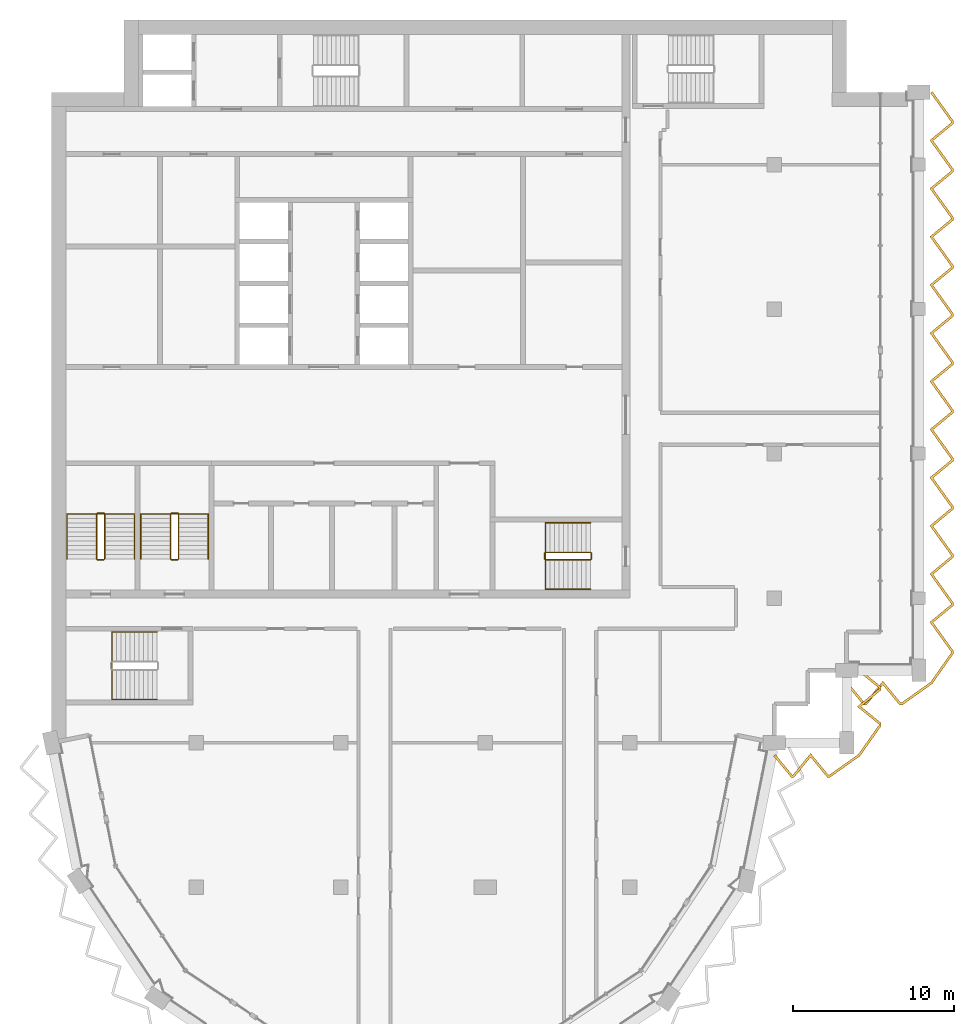
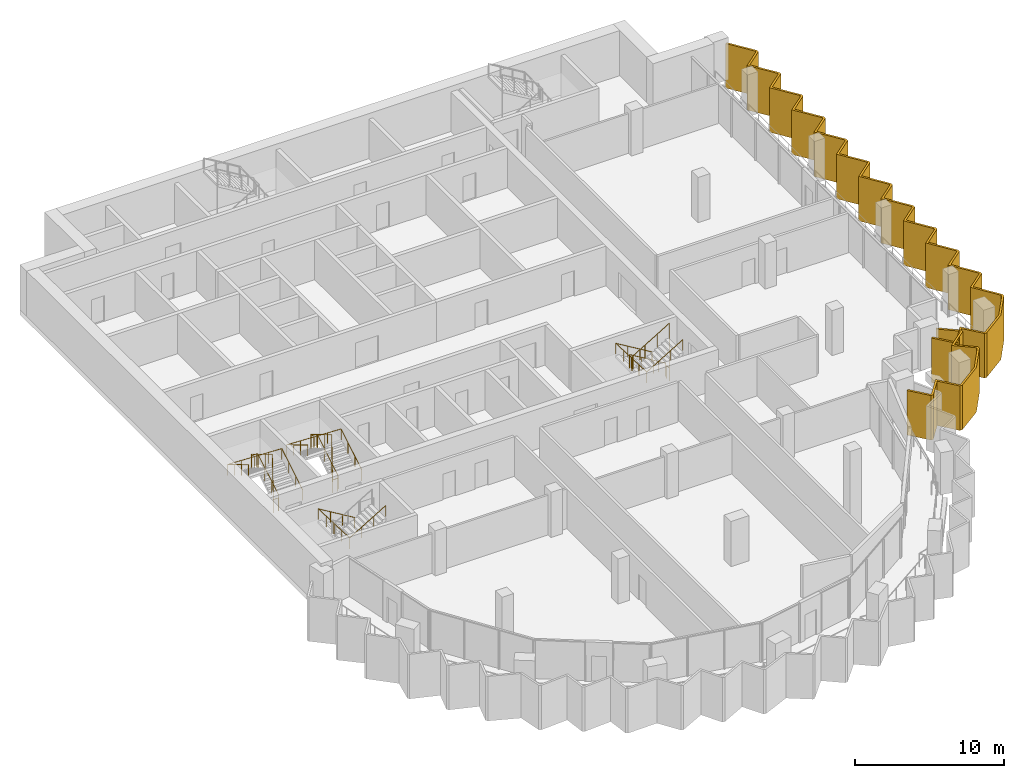
# One storey, part 12 of 13: 7 railings, 2 shading devices.
"""IFC4 building model written with IfcOpenShell, lengths in metres."""

from ifc_helpers import new_model, si_unit, direction, frame, origin, origin_2d, place, context, subcontext, project, spatial, polyline, circle, outline, extrude, material, layer, layer_set, type_object, element, save


model = new_model("IFC4")

# Units and contexts
model_context = context("Model", 3, precision=1e-05, world=origin(), true_north=direction((0.0, 1.0)))
body_context = subcontext(model_context, "Body", "Model", "MODEL_VIEW")
ifc_project = project(units=[si_unit("LENGTHUNIT", "METRE"), si_unit("AREAUNIT", "SQUARE_METRE"), si_unit("VOLUMEUNIT", "CUBIC_METRE"), si_unit("PLANEANGLEUNIT", "RADIAN"), si_unit("MASSUNIT", "GRAM", prefix="KILO")], contexts=[model_context])

# Site, building, storey
site_placement = place(None, origin())
site = spatial("IfcSite", under=ifc_project, at=site_placement, CompositionType="ELEMENT")
building_placement = place(site_placement, origin())
building = spatial("IfcBuilding", under=site, at=building_placement, Name="Hunhe Ridgeline Campus", CompositionType="ELEMENT")
storey_placement = place(building_placement, frame((0.0, 0.0, 299.300048828125)))
storey = spatial("IfcBuildingStorey", under=building, at=storey_placement, Name="L77", CompositionType="ELEMENT", Elevation=299.300048828125)

# Shading devices
ifc_material_1 = material(Name="Concrete C50", Category="concrete")
ifc_layer = layer(ifc_material_1, 0.14990234375)
ifc_layer_set = layer_set([ifc_layer], Name="Sawtooth concrete fin 150 Concrete C50")
shading_device_type = type_object("IfcShadingDeviceType", Name="Sawtooth concrete fin 150 Concrete C50", PredefinedType="USERDEFINED", material=ifc_layer_set)
shading_device_1_placement = place(storey_placement, frame((0.0, 0.0, -0.949951171875)))
element("IfcShadingDevice", 1, at=shading_device_1_placement, inside=storey, type_object=shading_device_type, Name="Concrete fin screen 2", ObjectType="FIN", PredefinedType="USERDEFINED", context=body_context, shape_type="SweptSolid", body=[
    extrude(outline(polyline([(45.057861328125, 53.272705078125), (44.942138671875, 53.17724609375), (46.037353515625, 51.85009765625), (46.228271484375, 51.85009765625), (47.25048828125, 53.106689453125), (48.287353515625, 51.85009765625), (48.466552734375, 51.85009765625), (50.328857421875, 53.17138671875), (51.64990234375, 55.048828125), (51.64990234375, 55.228271484375), (50.393310546875, 56.25048828125), (51.64990234375, 57.287353515625), (51.64990234375, 57.478271484375), (50.322265625, 58.55810546875), (50.227783203125, 58.44189453125), (51.5, 57.406982421875), (51.5, 57.35791015625), (50.15673828125, 56.24951171875), (51.5, 55.156982421875), (51.5, 55.096435546875), (50.22119140625, 53.27880859375), (48.418701171875, 52.0), (48.35791015625, 52.0), (47.24951171875, 53.34326171875), (46.156982421875, 52.0), (46.10791015625, 52.0), (45.057861328125, 53.272705078125)])), origin(), (0.0, 0.0, 1.0), 3.64990234375),
])
shading_device_2_placement = place(storey_placement, frame((0.0, 0.0, -0.949951171875)))
element("IfcShadingDevice", 2, at=shading_device_2_placement, inside=storey, type_object=shading_device_type, Name="Concrete fin screen 3", ObjectType="FIN", PredefinedType="USERDEFINED", context=body_context, shape_type="SweptSolid", body=[
    extrude(outline(polyline([(49.557861328125, 57.772705078125), (49.442138671875, 57.67724609375), (50.537353515625, 56.35009765625), (50.728271484375, 56.35009765625), (51.75048828125, 57.606689453125), (52.787353515625, 56.35009765625), (52.966552734375, 56.35009765625), (54.828857421875, 57.67138671875), (56.14990234375, 59.548828125), (56.14990234375, 59.716796875), (54.876953125, 61.48681640625), (56.14990234375, 62.537353515625), (56.14990234375, 62.716796875), (54.876953125, 64.48681640625), (56.14990234375, 65.537353515625), (56.14990234375, 65.716796875), (54.876953125, 67.48681640625), (56.14990234375, 68.537353515625), (56.14990234375, 68.716796875), (54.876953125, 70.48681640625), (56.14990234375, 71.537353515625), (56.14990234375, 71.716796875), (54.876953125, 73.48681640625), (56.14990234375, 74.537353515625), (56.14990234375, 74.716796875), (54.876953125, 76.48681640625), (56.14990234375, 77.537353515625), (56.14990234375, 77.716796875), (54.876953125, 79.48681640625), (56.14990234375, 80.537353515625), (56.14990234375, 80.716796875), (54.876953125, 82.48681640625), (56.14990234375, 83.537353515625), (56.14990234375, 83.716796875), (54.876953125, 85.48681640625), (56.14990234375, 86.537353515625), (56.14990234375, 86.716796875), (54.876953125, 88.48681640625), (56.14990234375, 89.537353515625), (56.14990234375, 89.716796875), (54.876953125, 91.48681640625), (56.14990234375, 92.537353515625), (56.14990234375, 92.716796875), (54.8359375, 94.543701171875), (54.714111328125, 94.456298828125), (56.0, 92.66845703125), (56.0, 92.60791015625), (54.673095703125, 91.51318359375), (56.0, 89.66845703125), (56.0, 89.60791015625), (54.673095703125, 88.51318359375), (56.0, 86.66845703125), (56.0, 86.60791015625), (54.673095703125, 85.51318359375), (56.0, 83.66845703125), (56.0, 83.60791015625), (54.673095703125, 82.51318359375), (56.0, 80.66845703125), (56.0, 80.60791015625), (54.673095703125, 79.51318359375), (56.0, 77.66845703125), (56.0, 77.60791015625), (54.673095703125, 76.51318359375), (56.0, 74.66845703125), (56.0, 74.60791015625), (54.673095703125, 73.51318359375), (56.0, 71.66845703125), (56.0, 71.60791015625), (54.673095703125, 70.51318359375), (56.0, 68.66845703125), (56.0, 68.60791015625), (54.673095703125, 67.51318359375), (56.0, 65.66845703125), (56.0, 65.60791015625), (54.673095703125, 64.51318359375), (56.0, 62.66845703125), (56.0, 62.60791015625), (54.673095703125, 61.51318359375), (56.0, 59.66845703125), (56.0, 59.596435546875), (54.72119140625, 57.77880859375), (52.918701171875, 56.5), (52.85791015625, 56.5), (51.74951171875, 57.84326171875), (50.656982421875, 56.5), (50.60791015625, 56.5), (49.557861328125, 57.772705078125)])), origin(), (0.0, 0.0, 1.0), 3.64990234375),
])

# Railings
ifc_material_2 = material(Name="Stainless steel balustrade", Category="steel")
railing_type_1 = type_object("IfcRailingType", Name="Stair guard 1100 stainless", PredefinedType="GUARDRAIL", material=ifc_material_2)
railing_1_placement = place(storey_placement, frame((33.550048828125, 65.85009765625, 0.168212890625)))
element("IfcRailing", 3, at=railing_1_placement, inside=storey, type_object=railing_type_1, Name="L77 stair S2 guard", PredefinedType="GUARDRAIL", context=body_context, shape_type="SweptSolid", body=[
    extrude(circle(Radius=0.02392578125, at=origin_2d()), frame((0.0, 0.0, 1.076171875), z_axis=(-0.857275202839, 0.0, 0.514858452973), x_axis=(0.0, -1.0, 0.0)), (0.0, 0.0, 1.0), 3.26611328125),
    extrude(circle(Radius=0.02392578125, at=origin_2d()), frame((-2.800048828125, 0.0, 2.7578125), z_axis=(-0.707106781187, -0.707106781187, 0.0), x_axis=(0.707106781187, -0.707106781187, 0.0)), (0.0, 0.0, 1.0), 0.07080078125),
    extrude(circle(Radius=0.02392578125, at=origin_2d()), frame((-2.85009765625, -0.050048828125, 2.7578125), z_axis=(0.0, -1.0, 0.0), x_axis=(1.0, 0.0, 0.0)), (0.0, 0.0, 1.0), 0.35009765625),
    extrude(circle(Radius=0.02392578125, at=origin_2d()), frame((-2.85009765625, -0.400146484375, 2.7578125), z_axis=(0.274243871929, -0.274243871929, 0.92172696468), x_axis=(0.707106781187, 0.707106781187, 0.0)), (0.0, 0.0, 1.0), 0.1826171875),
    extrude(circle(Radius=0.02392578125, at=origin_2d()), frame((-2.800048828125, -0.4501953125, 2.92578125), z_axis=(0.857242210791, 0.0, 0.514913383045), x_axis=(0.0, 1.0, 0.0)), (0.0, 0.0, 1.0), 3.266357421875),
    extrude(circle(Radius=0.02392578125, at=origin_2d()), frame((0.0, -0.4501953125, 4.60791015625), z_axis=(0.013524414389, 0.013524414389, -0.999817073484), x_axis=(-0.707106781187, 0.707106781187, 0.0)), (0.0, 0.0, 1.0), 3.70068359375),
    extrude(circle(Radius=0.02392578125, at=origin_2d()), frame((0.050048828125, -0.400146484375, 0.90771484375), z_axis=(0.0, 1.0, 0.0), x_axis=(-1.0, 0.0, 0.0)), (0.0, 0.0, 1.0), 0.35009765625),
    extrude(circle(Radius=0.02099609375, at=origin_2d()), origin(), (0.0, 0.0, 1.0), 1.052001953125),
    extrude(circle(Radius=0.02099609375, at=origin_2d()), frame((-0.933349609375, 0.0, 0.560546875)), (0.0, 0.0, 1.0), 1.052001953125),
    extrude(circle(Radius=0.02099609375, at=origin_2d()), frame((-1.86669921875, 0.0, 1.12109375)), (0.0, 0.0, 1.0), 1.052001953125),
    extrude(circle(Radius=0.02099609375, at=origin_2d()), frame((-2.800048828125, 0.0, 1.681640625)), (0.0, 0.0, 1.0), 1.052001953125),
    extrude(circle(Radius=0.02099609375, at=origin_2d()), frame((-2.85009765625, -0.050048828125, 1.681640625)), (0.0, 0.0, 1.0), 1.052001953125),
    extrude(circle(Radius=0.02099609375, at=origin_2d()), frame((-2.85009765625, -0.400146484375, 1.681640625)), (0.0, 0.0, 1.0), 1.052001953125),
    extrude(circle(Radius=0.02099609375, at=origin_2d()), frame((-2.800048828125, -0.4501953125, 1.849853515625)), (0.0, 0.0, 1.0), 1.052001953125),
    extrude(circle(Radius=0.02099609375, at=origin_2d()), frame((-1.86669921875, -0.4501953125, 2.410400390625)), (0.0, 0.0, 1.0), 1.052001953125),
    extrude(circle(Radius=0.02099609375, at=origin_2d()), frame((-0.933349609375, -0.4501953125, 2.97119140625)), (0.0, 0.0, 1.0), 1.052001953125),
    extrude(circle(Radius=0.02099609375, at=origin_2d()), frame((0.0, -0.4501953125, 3.53173828125)), (0.0, 0.0, 1.0), 1.052001953125),
    extrude(circle(Radius=0.02099609375, at=origin_2d()), frame((0.012451171875, -0.437744140625, 2.606689453125)), (0.0, 0.0, 1.0), 1.052001953125),
    extrude(circle(Radius=0.02099609375, at=origin_2d()), frame((0.02490234375, -0.42529296875, 1.681640625)), (0.0, 0.0, 1.0), 1.052001953125),
    extrude(circle(Radius=0.02099609375, at=origin_2d()), frame((0.03759765625, -0.41259765625, 0.7568359375)), (0.0, 0.0, 1.0), 1.052001953125),
    extrude(circle(Radius=0.02099609375, at=origin_2d()), frame((0.050048828125, -0.400146484375, -0.168212890625)), (0.0, 0.0, 1.0), 1.052001953125),
    extrude(circle(Radius=0.02099609375, at=origin_2d()), frame((0.050048828125, -0.050048828125, -0.168212890625)), (0.0, 0.0, 1.0), 1.052001953125),
])
railing_2_placement = place(storey_placement, frame((3.300048828125, 65.449951171875, 0.168212890625)))
element("IfcRailing", 4, at=railing_2_placement, inside=storey, type_object=railing_type_1, Name="L77 stair S3 guard", PredefinedType="GUARDRAIL", context=body_context, shape_type="SweptSolid", body=[
    extrude(circle(Radius=0.02392578125, at=origin_2d()), frame((0.0, 0.0, 1.076171875), z_axis=(0.0, 0.857275202839, 0.514858452973), x_axis=(-1.0, 0.0, 0.0)), (0.0, 0.0, 1.0), 3.26611328125),
    extrude(circle(Radius=0.02392578125, at=origin_2d()), frame((0.0, 2.800048828125, 2.7578125), z_axis=(-0.707106781187, 0.707106781187, 0.0), x_axis=(-0.707106781187, -0.707106781187, 0.0)), (0.0, 0.0, 1.0), 0.07080078125),
    extrude(circle(Radius=0.02392578125, at=origin_2d()), frame((-0.050048828125, 2.85009765625, 2.7578125), z_axis=(-1.0, 0.0, 0.0), x_axis=(0.0, -1.0, 0.0)), (0.0, 0.0, 1.0), 0.39990234375),
    extrude(circle(Radius=0.02392578125, at=origin_2d()), frame((-0.449951171875, 2.85009765625, 2.7578125), z_axis=(-0.274243871929, -0.274243871929, 0.92172696468), x_axis=(0.707106781187, -0.707106781187, 0.0)), (0.0, 0.0, 1.0), 0.1826171875),
    extrude(circle(Radius=0.02392578125, at=origin_2d()), frame((-0.5, 2.800048828125, 2.92578125), z_axis=(0.0, -0.857242210791, 0.514913383045), x_axis=(1.0, 0.0, 0.0)), (0.0, 0.0, 1.0), 3.266357421875),
    extrude(circle(Radius=0.02392578125, at=origin_2d()), frame((-0.5, 0.0, 4.60791015625), z_axis=(0.013524414389, -0.013524414389, -0.999817073484), x_axis=(0.707106781187, 0.707106781187, 0.0)), (0.0, 0.0, 1.0), 3.70068359375),
    extrude(circle(Radius=0.02392578125, at=origin_2d()), frame((-0.449951171875, -0.050048828125, 0.90771484375), z_axis=(1.0, 0.0, 0.0), x_axis=(0.0, 1.0, 0.0)), (0.0, 0.0, 1.0), 0.39990234375),
    extrude(circle(Radius=0.02099609375, at=origin_2d()), origin(), (0.0, 0.0, 1.0), 1.052001953125),
    extrude(circle(Radius=0.02099609375, at=origin_2d()), frame((0.0, 0.933349609375, 0.560546875)), (0.0, 0.0, 1.0), 1.052001953125),
    extrude(circle(Radius=0.02099609375, at=origin_2d()), frame((0.0, 1.86669921875, 1.12109375)), (0.0, 0.0, 1.0), 1.052001953125),
    extrude(circle(Radius=0.02099609375, at=origin_2d()), frame((0.0, 2.800048828125, 1.681640625)), (0.0, 0.0, 1.0), 1.052001953125),
    extrude(circle(Radius=0.02099609375, at=origin_2d()), frame((-0.050048828125, 2.85009765625, 1.681640625)), (0.0, 0.0, 1.0), 1.052001953125),
    extrude(circle(Radius=0.02099609375, at=origin_2d()), frame((-0.449951171875, 2.85009765625, 1.681640625)), (0.0, 0.0, 1.0), 1.052001953125),
    extrude(circle(Radius=0.02099609375, at=origin_2d()), frame((-0.5, 2.800048828125, 1.849853515625)), (0.0, 0.0, 1.0), 1.052001953125),
    extrude(circle(Radius=0.02099609375, at=origin_2d()), frame((-0.5, 1.86669921875, 2.410400390625)), (0.0, 0.0, 1.0), 1.052001953125),
    extrude(circle(Radius=0.02099609375, at=origin_2d()), frame((-0.5, 0.933349609375, 2.97119140625)), (0.0, 0.0, 1.0), 1.052001953125),
    extrude(circle(Radius=0.02099609375, at=origin_2d()), frame((-0.5, 0.0, 3.53173828125)), (0.0, 0.0, 1.0), 1.052001953125),
    extrude(circle(Radius=0.02099609375, at=origin_2d()), frame((-0.487548828125, -0.012451171875, 2.606689453125)), (0.0, 0.0, 1.0), 1.052001953125),
    extrude(circle(Radius=0.02099609375, at=origin_2d()), frame((-0.47509765625, -0.02490234375, 1.681640625)), (0.0, 0.0, 1.0), 1.052001953125),
    extrude(circle(Radius=0.02099609375, at=origin_2d()), frame((-0.46240234375, -0.03759765625, 0.7568359375)), (0.0, 0.0, 1.0), 1.052001953125),
    extrude(circle(Radius=0.02099609375, at=origin_2d()), frame((-0.449951171875, -0.050048828125, -0.168212890625)), (0.0, 0.0, 1.0), 1.052001953125),
    extrude(circle(Radius=0.02099609375, at=origin_2d()), frame((-0.050048828125, -0.050048828125, -0.168212890625)), (0.0, 0.0, 1.0), 1.052001953125),
])
railing_3_placement = place(storey_placement, frame((7.89990234375, 65.449951171875, 0.168212890625)))
element("IfcRailing", 5, at=railing_3_placement, inside=storey, type_object=railing_type_1, Name="L77 stair S4 guard", PredefinedType="GUARDRAIL", context=body_context, shape_type="SweptSolid", body=[
    extrude(circle(Radius=0.02392578125, at=origin_2d()), frame((0.0, 0.0, 1.076171875), z_axis=(0.0, 0.857275202839, 0.514858452973), x_axis=(-1.0, 0.0, 0.0)), (0.0, 0.0, 1.0), 3.26611328125),
    extrude(circle(Radius=0.02392578125, at=origin_2d()), frame((0.0, 2.800048828125, 2.7578125), z_axis=(-0.705375805398, 0.708833529934, 0.0), x_axis=(-0.708833529934, -0.705375805398, 0.0)), (0.0, 0.0, 1.0), 0.070556640625),
    extrude(circle(Radius=0.02392578125, at=origin_2d()), frame((-0.0498046875, 2.85009765625, 2.7578125), z_axis=(-1.0, 0.0, 0.0), x_axis=(0.0, -1.0, 0.0)), (0.0, 0.0, 1.0), 0.400146484375),
    extrude(circle(Radius=0.02392578125, at=origin_2d()), frame((-0.449951171875, 2.85009765625, 2.7578125), z_axis=(-0.274243871929, -0.274243871929, 0.92172696468), x_axis=(0.707106781187, -0.707106781187, 0.0)), (0.0, 0.0, 1.0), 0.1826171875),
    extrude(circle(Radius=0.02392578125, at=origin_2d()), frame((-0.5, 2.800048828125, 2.92578125), z_axis=(0.0, -0.857242210791, 0.514913383045), x_axis=(1.0, 0.0, 0.0)), (0.0, 0.0, 1.0), 3.266357421875),
    extrude(circle(Radius=0.02392578125, at=origin_2d()), frame((-0.5, 0.0, 4.60791015625), z_axis=(0.013524414389, -0.013524414389, -0.999817073484), x_axis=(0.707106781187, 0.707106781187, 0.0)), (0.0, 0.0, 1.0), 3.70068359375),
    extrude(circle(Radius=0.02392578125, at=origin_2d()), frame((-0.449951171875, -0.050048828125, 0.90771484375), z_axis=(1.0, 0.0, 0.0), x_axis=(0.0, 1.0, 0.0)), (0.0, 0.0, 1.0), 0.400146484375),
    extrude(circle(Radius=0.02099609375, at=origin_2d()), origin(), (0.0, 0.0, 1.0), 1.052001953125),
    extrude(circle(Radius=0.02099609375, at=origin_2d()), frame((0.0, 0.933349609375, 0.560546875)), (0.0, 0.0, 1.0), 1.052001953125),
    extrude(circle(Radius=0.02099609375, at=origin_2d()), frame((0.0, 1.86669921875, 1.12109375)), (0.0, 0.0, 1.0), 1.052001953125),
    extrude(circle(Radius=0.02099609375, at=origin_2d()), frame((0.0, 2.800048828125, 1.681640625)), (0.0, 0.0, 1.0), 1.052001953125),
    extrude(circle(Radius=0.02099609375, at=origin_2d()), frame((-0.0498046875, 2.85009765625, 1.681640625)), (0.0, 0.0, 1.0), 1.052001953125),
    extrude(circle(Radius=0.02099609375, at=origin_2d()), frame((-0.449951171875, 2.85009765625, 1.681640625)), (0.0, 0.0, 1.0), 1.052001953125),
    extrude(circle(Radius=0.02099609375, at=origin_2d()), frame((-0.5, 2.800048828125, 1.849853515625)), (0.0, 0.0, 1.0), 1.052001953125),
    extrude(circle(Radius=0.02099609375, at=origin_2d()), frame((-0.5, 1.86669921875, 2.410400390625)), (0.0, 0.0, 1.0), 1.052001953125),
    extrude(circle(Radius=0.02099609375, at=origin_2d()), frame((-0.5, 0.933349609375, 2.97119140625)), (0.0, 0.0, 1.0), 1.052001953125),
    extrude(circle(Radius=0.02099609375, at=origin_2d()), frame((-0.5, 0.0, 3.53173828125)), (0.0, 0.0, 1.0), 1.052001953125),
    extrude(circle(Radius=0.02099609375, at=origin_2d()), frame((-0.487548828125, -0.012451171875, 2.606689453125)), (0.0, 0.0, 1.0), 1.052001953125),
    extrude(circle(Radius=0.02099609375, at=origin_2d()), frame((-0.47509765625, -0.02490234375, 1.681640625)), (0.0, 0.0, 1.0), 1.052001953125),
    extrude(circle(Radius=0.02099609375, at=origin_2d()), frame((-0.46240234375, -0.03759765625, 0.7568359375)), (0.0, 0.0, 1.0), 1.052001953125),
    extrude(circle(Radius=0.02099609375, at=origin_2d()), frame((-0.449951171875, -0.050048828125, -0.168212890625)), (0.0, 0.0, 1.0), 1.052001953125),
    extrude(circle(Radius=0.02099609375, at=origin_2d()), frame((-0.0498046875, -0.050048828125, -0.168212890625)), (0.0, 0.0, 1.0), 1.052001953125),
])
ifc_material_3 = material(Name="Stainless steel handrail", Category="steel")
railing_type_2 = type_object("IfcRailingType", Name="Stair handrail 900 stainless", PredefinedType="HANDRAIL", material=ifc_material_3)
railing_4_placement = place(storey_placement, frame((33.550048828125, 67.699951171875, 0.168212890625)))
element("IfcRailing", 6, at=railing_4_placement, inside=storey, type_object=railing_type_2, Name="L77 stair S2 handrail", PredefinedType="HANDRAIL", context=body_context, shape_type="SweptSolid", body=[
    extrude(circle(Radius=0.02392578125, at=origin_2d()), frame((0.0, 0.0, 0.8759765625), z_axis=(-0.857275202839, 0.0, 0.514858452973), x_axis=(0.0, -1.0, 0.0)), (0.0, 0.0, 1.0), 3.26611328125),
    extrude(circle(Radius=0.02392578125, at=origin_2d()), frame((-2.800048828125, 0.0, 2.5576171875), z_axis=(0.0, -0.99917950104, 0.040500922239), x_axis=(1.0, 0.0, 0.0)), (0.0, 0.0, 1.0), 4.1533203125),
    extrude(circle(Radius=0.02392578125, at=origin_2d()), frame((-2.800048828125, -4.14990234375, 2.7255859375), z_axis=(0.857242210791, 0.0, 0.514913383045), x_axis=(0.0, 1.0, 0.0)), (0.0, 0.0, 1.0), 3.266357421875),
    extrude(circle(Radius=0.02099609375, at=origin_2d()), origin(), (0.0, 0.0, 1.0), 0.851806640625),
    extrude(circle(Radius=0.02099609375, at=origin_2d()), frame((-0.933349609375, 0.0, 0.560546875)), (0.0, 0.0, 1.0), 0.851806640625),
    extrude(circle(Radius=0.02099609375, at=origin_2d()), frame((-1.86669921875, 0.0, 1.12109375)), (0.0, 0.0, 1.0), 0.851806640625),
    extrude(circle(Radius=0.02099609375, at=origin_2d()), frame((-2.800048828125, 0.0, 1.681640625)), (0.0, 0.0, 1.0), 0.851806640625),
    extrude(circle(Radius=0.02099609375, at=origin_2d()), frame((-2.800048828125, -1.03759765625, 1.7236328125)), (0.0, 0.0, 1.0), 0.851806640625),
    extrude(circle(Radius=0.02099609375, at=origin_2d()), frame((-2.800048828125, -2.074951171875, 1.765625)), (0.0, 0.0, 1.0), 0.851806640625),
    extrude(circle(Radius=0.02099609375, at=origin_2d()), frame((-2.800048828125, -3.1123046875, 1.807861328125)), (0.0, 0.0, 1.0), 0.851806640625),
    extrude(circle(Radius=0.02099609375, at=origin_2d()), frame((-2.800048828125, -4.14990234375, 1.849853515625)), (0.0, 0.0, 1.0), 0.851806640625),
    extrude(circle(Radius=0.02099609375, at=origin_2d()), frame((-1.86669921875, -4.14990234375, 2.410400390625)), (0.0, 0.0, 1.0), 0.851806640625),
    extrude(circle(Radius=0.02099609375, at=origin_2d()), frame((-0.933349609375, -4.14990234375, 2.97119140625)), (0.0, 0.0, 1.0), 0.851806640625),
    extrude(circle(Radius=0.02099609375, at=origin_2d()), frame((0.0, -4.14990234375, 3.53173828125)), (0.0, 0.0, 1.0), 0.851806640625),
])
railing_5_placement = place(storey_placement, frame((5.14990234375, 65.449951171875, 0.168212890625)))
element("IfcRailing", 7, at=railing_5_placement, inside=storey, type_object=railing_type_2, Name="L77 stair S3 handrail", PredefinedType="HANDRAIL", context=body_context, shape_type="SweptSolid", body=[
    extrude(circle(Radius=0.02392578125, at=origin_2d()), frame((0.0, 0.0, 0.8759765625), z_axis=(0.0, 0.857275202839, 0.514858452973), x_axis=(-1.0, 0.0, 0.0)), (0.0, 0.0, 1.0), 3.26611328125),
    extrude(circle(Radius=0.02392578125, at=origin_2d()), frame((0.0, 2.800048828125, 2.5576171875), z_axis=(-0.999198916169, 0.0, 0.040019069537), x_axis=(0.0, -1.0, 0.0)), (0.0, 0.0, 1.0), 4.203369140625),
    extrude(circle(Radius=0.02392578125, at=origin_2d()), frame((-4.199951171875, 2.800048828125, 2.7255859375), z_axis=(0.0, -0.857242210791, 0.514913383045), x_axis=(1.0, 0.0, 0.0)), (0.0, 0.0, 1.0), 3.266357421875),
    extrude(circle(Radius=0.02099609375, at=origin_2d()), origin(), (0.0, 0.0, 1.0), 0.851806640625),
    extrude(circle(Radius=0.02099609375, at=origin_2d()), frame((0.0, 0.933349609375, 0.560546875)), (0.0, 0.0, 1.0), 0.851806640625),
    extrude(circle(Radius=0.02099609375, at=origin_2d()), frame((0.0, 1.86669921875, 1.12109375)), (0.0, 0.0, 1.0), 0.851806640625),
    extrude(circle(Radius=0.02099609375, at=origin_2d()), frame((0.0, 2.800048828125, 1.681640625)), (0.0, 0.0, 1.0), 0.851806640625),
    extrude(circle(Radius=0.02099609375, at=origin_2d()), frame((-1.050048828125, 2.800048828125, 1.7236328125)), (0.0, 0.0, 1.0), 0.851806640625),
    extrude(circle(Radius=0.02099609375, at=origin_2d()), frame((-2.10009765625, 2.800048828125, 1.765625)), (0.0, 0.0, 1.0), 0.851806640625),
    extrude(circle(Radius=0.02099609375, at=origin_2d()), frame((-3.14990234375, 2.800048828125, 1.807861328125)), (0.0, 0.0, 1.0), 0.851806640625),
    extrude(circle(Radius=0.02099609375, at=origin_2d()), frame((-4.199951171875, 2.800048828125, 1.849853515625)), (0.0, 0.0, 1.0), 0.851806640625),
    extrude(circle(Radius=0.02099609375, at=origin_2d()), frame((-4.199951171875, 1.86669921875, 2.410400390625)), (0.0, 0.0, 1.0), 0.851806640625),
    extrude(circle(Radius=0.02099609375, at=origin_2d()), frame((-4.199951171875, 0.933349609375, 2.97119140625)), (0.0, 0.0, 1.0), 0.851806640625),
    extrude(circle(Radius=0.02099609375, at=origin_2d()), frame((-4.199951171875, 0.0, 3.53173828125)), (0.0, 0.0, 1.0), 0.851806640625),
])
railing_6_placement = place(storey_placement, frame((9.75, 65.449951171875, 0.168212890625)))
element("IfcRailing", 8, at=railing_6_placement, inside=storey, type_object=railing_type_2, Name="L77 stair S4 handrail", PredefinedType="HANDRAIL", context=body_context, shape_type="SweptSolid", body=[
    extrude(circle(Radius=0.02392578125, at=origin_2d()), frame((0.0, 0.0, 0.8759765625), z_axis=(0.0, 0.857275202839, 0.514858452973), x_axis=(-1.0, 0.0, 0.0)), (0.0, 0.0, 1.0), 3.26611328125),
    extrude(circle(Radius=0.02392578125, at=origin_2d()), frame((0.0, 2.800048828125, 2.5576171875), z_axis=(-0.999198916169, 0.0, 0.040019069537), x_axis=(0.0, -1.0, 0.0)), (0.0, 0.0, 1.0), 4.203369140625),
    extrude(circle(Radius=0.02392578125, at=origin_2d()), frame((-4.199951171875, 2.800048828125, 2.7255859375), z_axis=(0.0, -0.857242210791, 0.514913383045), x_axis=(1.0, 0.0, 0.0)), (0.0, 0.0, 1.0), 3.266357421875),
    extrude(circle(Radius=0.02099609375, at=origin_2d()), origin(), (0.0, 0.0, 1.0), 0.851806640625),
    extrude(circle(Radius=0.02099609375, at=origin_2d()), frame((0.0, 0.933349609375, 0.560546875)), (0.0, 0.0, 1.0), 0.851806640625),
    extrude(circle(Radius=0.02099609375, at=origin_2d()), frame((0.0, 1.86669921875, 1.12109375)), (0.0, 0.0, 1.0), 0.851806640625),
    extrude(circle(Radius=0.02099609375, at=origin_2d()), frame((0.0, 2.800048828125, 1.681640625)), (0.0, 0.0, 1.0), 0.851806640625),
    extrude(circle(Radius=0.02099609375, at=origin_2d()), frame((-1.050048828125, 2.800048828125, 1.7236328125)), (0.0, 0.0, 1.0), 0.851806640625),
    extrude(circle(Radius=0.02099609375, at=origin_2d()), frame((-2.10009765625, 2.800048828125, 1.765625)), (0.0, 0.0, 1.0), 0.851806640625),
    extrude(circle(Radius=0.02099609375, at=origin_2d()), frame((-3.14990234375, 2.800048828125, 1.807861328125)), (0.0, 0.0, 1.0), 0.851806640625),
    extrude(circle(Radius=0.02099609375, at=origin_2d()), frame((-4.199951171875, 2.800048828125, 1.849853515625)), (0.0, 0.0, 1.0), 0.851806640625),
    extrude(circle(Radius=0.02099609375, at=origin_2d()), frame((-4.199951171875, 1.86669921875, 2.410400390625)), (0.0, 0.0, 1.0), 0.851806640625),
    extrude(circle(Radius=0.02099609375, at=origin_2d()), frame((-4.199951171875, 0.933349609375, 2.97119140625)), (0.0, 0.0, 1.0), 0.851806640625),
    extrude(circle(Radius=0.02099609375, at=origin_2d()), frame((-4.199951171875, 0.0, 3.53173828125)), (0.0, 0.0, 1.0), 0.851806640625),
])
railing_7_placement = place(storey_placement, frame((6.550048828125, 60.89990234375, 0.168212890625)))
element("IfcRailing", 9, at=railing_7_placement, inside=storey, type_object=railing_type_2, Name="L77 stair W2 handrail", PredefinedType="HANDRAIL", context=body_context, shape_type="SweptSolid", body=[
    extrude(circle(Radius=0.02392578125, at=origin_2d()), frame((0.0, 0.0, 0.8759765625), z_axis=(-0.857275202839, 0.0, 0.514858452973), x_axis=(0.0, -1.0, 0.0)), (0.0, 0.0, 1.0), 3.26611328125),
    extrude(circle(Radius=0.02392578125, at=origin_2d()), frame((-2.800048828125, 0.0, 2.5576171875), z_axis=(0.0, -0.999198916169, 0.040019069537), x_axis=(1.0, 0.0, 0.0)), (0.0, 0.0, 1.0), 4.203369140625),
    extrude(circle(Radius=0.02392578125, at=origin_2d()), frame((-2.800048828125, -4.199951171875, 2.7255859375), z_axis=(0.857242210791, 0.0, 0.514913383045), x_axis=(0.0, 1.0, 0.0)), (0.0, 0.0, 1.0), 3.266357421875),
    extrude(circle(Radius=0.02099609375, at=origin_2d()), origin(), (0.0, 0.0, 1.0), 0.851806640625),
    extrude(circle(Radius=0.02099609375, at=origin_2d()), frame((-0.933349609375, 0.0, 0.560546875)), (0.0, 0.0, 1.0), 0.851806640625),
    extrude(circle(Radius=0.02099609375, at=origin_2d()), frame((-1.86669921875, 0.0, 1.12109375)), (0.0, 0.0, 1.0), 0.851806640625),
    extrude(circle(Radius=0.02099609375, at=origin_2d()), frame((-2.800048828125, 0.0, 1.681640625)), (0.0, 0.0, 1.0), 0.851806640625),
    extrude(circle(Radius=0.02099609375, at=origin_2d()), frame((-2.800048828125, -1.050048828125, 1.7236328125)), (0.0, 0.0, 1.0), 0.851806640625),
    extrude(circle(Radius=0.02099609375, at=origin_2d()), frame((-2.800048828125, -2.10009765625, 1.765625)), (0.0, 0.0, 1.0), 0.851806640625),
    extrude(circle(Radius=0.02099609375, at=origin_2d()), frame((-2.800048828125, -3.14990234375, 1.807861328125)), (0.0, 0.0, 1.0), 0.851806640625),
    extrude(circle(Radius=0.02099609375, at=origin_2d()), frame((-2.800048828125, -4.199951171875, 1.849853515625)), (0.0, 0.0, 1.0), 0.851806640625),
    extrude(circle(Radius=0.02099609375, at=origin_2d()), frame((-1.86669921875, -4.199951171875, 2.410400390625)), (0.0, 0.0, 1.0), 0.851806640625),
    extrude(circle(Radius=0.02099609375, at=origin_2d()), frame((-0.933349609375, -4.199951171875, 2.97119140625)), (0.0, 0.0, 1.0), 0.851806640625),
    extrude(circle(Radius=0.02099609375, at=origin_2d()), frame((0.0, -4.199951171875, 3.53173828125)), (0.0, 0.0, 1.0), 0.851806640625),
])

save(model, "model.ifc")
